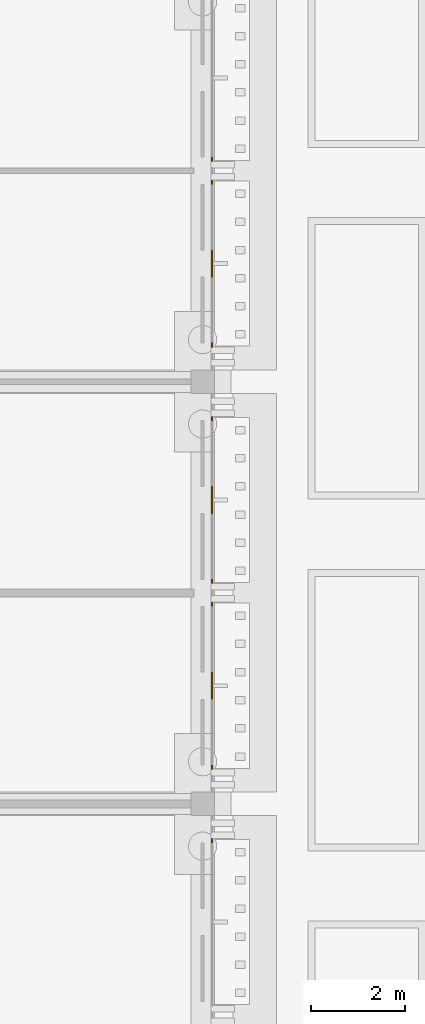
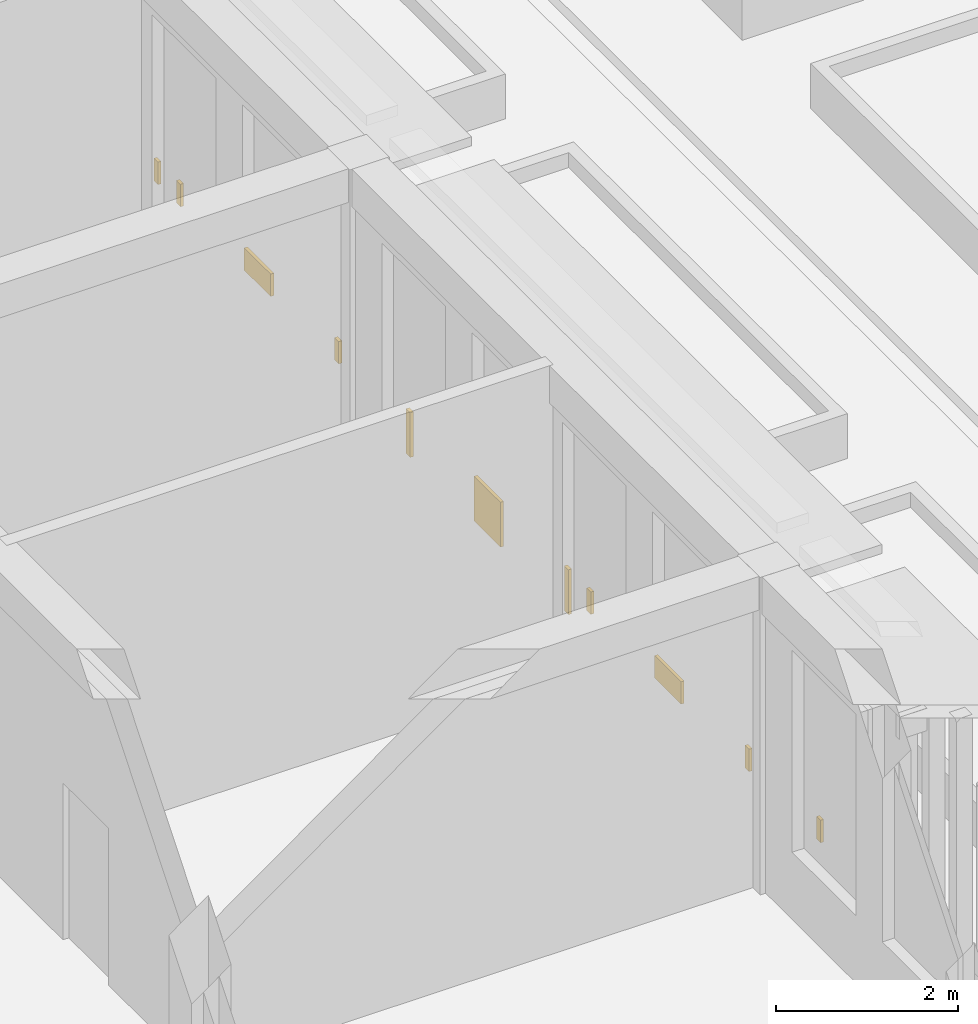
# One storey, part 156 of 161: 11 coverings.
"""IFC4 building model written with IfcOpenShell, lengths in metres."""

from ifc_helpers import new_model, si_unit, direction, frame, origin, origin_2d, place, context, subcontext, project, spatial, rectangle, extrude, material, layer, layer_set, type_object, element, save


model = new_model("IFC4")

# Units and contexts
model_context = context("Model", 3, precision=1e-05, world=origin(), true_north=direction((0.0, 1.0)))
body_context = subcontext(model_context, "Body", "Model", "MODEL_VIEW")
ifc_project = project(units=[si_unit("LENGTHUNIT", "METRE"), si_unit("AREAUNIT", "SQUARE_METRE"), si_unit("VOLUMEUNIT", "CUBIC_METRE"), si_unit("PLANEANGLEUNIT", "RADIAN"), si_unit("MASSUNIT", "GRAM", prefix="KILO")], contexts=[model_context])

# Site, building, storey
site_placement = place(None, origin())
site = spatial("IfcSite", under=ifc_project, at=site_placement, CompositionType="ELEMENT")
building_placement = place(site_placement, origin())
building = spatial("IfcBuilding", under=site, at=building_placement, Name="Elbe Cascade School", CompositionType="ELEMENT")
storey_placement = place(building_placement, origin())
storey = spatial("IfcBuildingStorey", under=building, at=storey_placement, Name="L00", CompositionType="ELEMENT", Elevation=0.0)

# Coverings
ifc_material = material(Name="Sandstone - red", Category="masonry")
ifc_layer = layer(ifc_material, 0.0400390625)
ifc_layer_set = layer_set([ifc_layer], Name="Sandstone - red")
covering_type = type_object("IfcCoveringType", Name="Bars envelope Sandstone cladding, red, 40 mm", PredefinedType="CLADDING", material=ifc_layer_set)
covering_1_placement = place(storey_placement, frame((145.5, 23.215087890625, 0.89990234375), z_axis=(0.0, 0.0, 1.0), x_axis=(0.0, 1.0, 0.0)))
element("IfcCovering", 1, at=covering_1_placement, inside=storey, type_object=covering_type, Name="Sandstone cladding CV48 C.L00.e.2.13", PredefinedType="CLADDING", context=body_context, shape_type="SweptSolid", body=[
    extrude(rectangle(XDim=0.090087890625, YDim=0.0400390625, at=origin_2d()), origin(), (0.0, 0.0, 1.0), 0.300048828125),
])
covering_2_placement = place(storey_placement, frame((145.5, 28.7451171875, 0.599853515625), z_axis=(0.0, 0.0, 1.0), x_axis=(0.0, 1.0, 0.0)))
element("IfcCovering", 2, at=covering_2_placement, inside=storey, type_object=covering_type, Name="Sandstone cladding CV48 C.L00.e.3.8", PredefinedType="CLADDING", context=body_context, shape_type="SweptSolid", body=[
    extrude(rectangle(XDim=0.090087890625, YDim=0.0400390625, at=origin_2d()), origin(), (0.0, 0.0, 1.0), 0.60009765625),
])
covering_3_placement = place(storey_placement, frame((145.5, 30.47998046875, 0.599853515625), z_axis=(0.0, 0.0, 1.0), x_axis=(0.0, 1.0, 0.0)))
element("IfcCovering", 3, at=covering_3_placement, inside=storey, type_object=covering_type, Name="Sandstone cladding CV48 C.L00.e.3.9", PredefinedType="CLADDING", context=body_context, shape_type="SweptSolid", body=[
    extrude(rectangle(XDim=0.580078125, YDim=0.0400390625, at=origin_2d()), origin(), (0.0, 0.0, 1.0), 0.60009765625),
])
covering_4_placement = place(storey_placement, frame((145.5, 32.215087890625, 0.599853515625), z_axis=(0.0, 0.0, 1.0), x_axis=(0.0, 1.0, 0.0)))
element("IfcCovering", 4, at=covering_4_placement, inside=storey, type_object=covering_type, Name="Sandstone cladding CV48 C.L00.e.3.10", PredefinedType="CLADDING", context=body_context, shape_type="SweptSolid", body=[
    extrude(rectangle(XDim=0.090087890625, YDim=0.0400390625, at=origin_2d()), origin(), (0.0, 0.0, 1.0), 0.60009765625),
])
covering_5_placement = place(storey_placement, frame((145.5, 24.784912109375, 0.89990234375), z_axis=(0.0, 0.0, 1.0), x_axis=(0.0, 1.0, 0.0)))
element("IfcCovering", 5, at=covering_5_placement, inside=storey, type_object=covering_type, Name="Sandstone cladding CV48 C.L00.e.3.11", PredefinedType="CLADDING", context=body_context, shape_type="SweptSolid", body=[
    extrude(rectangle(XDim=0.090087890625, YDim=0.0400390625, at=origin_2d()), origin(), (0.0, 0.0, 1.0), 0.300048828125),
])
covering_6_placement = place(storey_placement, frame((145.5, 26.52001953125, 0.89990234375), z_axis=(0.0, 0.0, 1.0), x_axis=(0.0, 1.0, 0.0)))
element("IfcCovering", 6, at=covering_6_placement, inside=storey, type_object=covering_type, Name="Sandstone cladding CV48 C.L00.e.3.12", PredefinedType="CLADDING", context=body_context, shape_type="SweptSolid", body=[
    extrude(rectangle(XDim=0.580078125, YDim=0.0400390625, at=origin_2d()), origin(), (0.0, 0.0, 1.0), 0.300048828125),
])
for number, where, z_axis, x_axis, name in (
    (7, (145.5, 28.2548828125, 0.89990234375), (0.0, 0.0, 1.0), (0.0, 1.0, 0.0), "Sandstone cladding CV48 C.L00.e.3.13"),
    (8, (145.5, 33.784912109375, 0.89990234375), (0.0, 0.0, 1.0), (0.0, 1.0, 0.0), "Sandstone cladding CV48 C.L00.e.4.8"),
):
    element("IfcCovering", number, at=place(storey_placement, frame(where, z_axis=z_axis, x_axis=x_axis)), inside=storey, type_object=covering_type, Name=name, PredefinedType="CLADDING", context=body_context, shape_type="SweptSolid", body=[
        extrude(rectangle(XDim=0.090087890625, YDim=0.0400390625, at=origin_2d()), origin(), (0.0, 0.0, 1.0), 0.300048828125),
    ])
covering_7_placement = place(storey_placement, frame((145.5, 35.52001953125, 0.89990234375), z_axis=(0.0, 0.0, 1.0), x_axis=(0.0, 1.0, 0.0)))
element("IfcCovering", 9, at=covering_7_placement, inside=storey, type_object=covering_type, Name="Sandstone cladding CV48 C.L00.e.4.9", PredefinedType="CLADDING", context=body_context, shape_type="SweptSolid", body=[
    extrude(rectangle(XDim=0.580078125, YDim=0.0400390625, at=origin_2d()), origin(), (0.0, 0.0, 1.0), 0.300048828125),
])
for number, where, z_axis, x_axis, name in (
    (10, (145.5, 37.2548828125, 0.89990234375), (0.0, 0.0, 1.0), (0.0, 1.0, 0.0), "Sandstone cladding CV48 C.L00.e.4.10"),
    (11, (145.5, 37.7451171875, 0.89990234375), (0.0, 0.0, 1.0), (0.0, 1.0, 0.0), "Sandstone cladding CV48 C.L00.e.4.11"),
):
    element("IfcCovering", number, at=place(storey_placement, frame(where, z_axis=z_axis, x_axis=x_axis)), inside=storey, type_object=covering_type, Name=name, PredefinedType="CLADDING", context=body_context, shape_type="SweptSolid", body=[
        extrude(rectangle(XDim=0.090087890625, YDim=0.0400390625, at=origin_2d()), origin(), (0.0, 0.0, 1.0), 0.300048828125),
    ])

save(model, "model.ifc")
